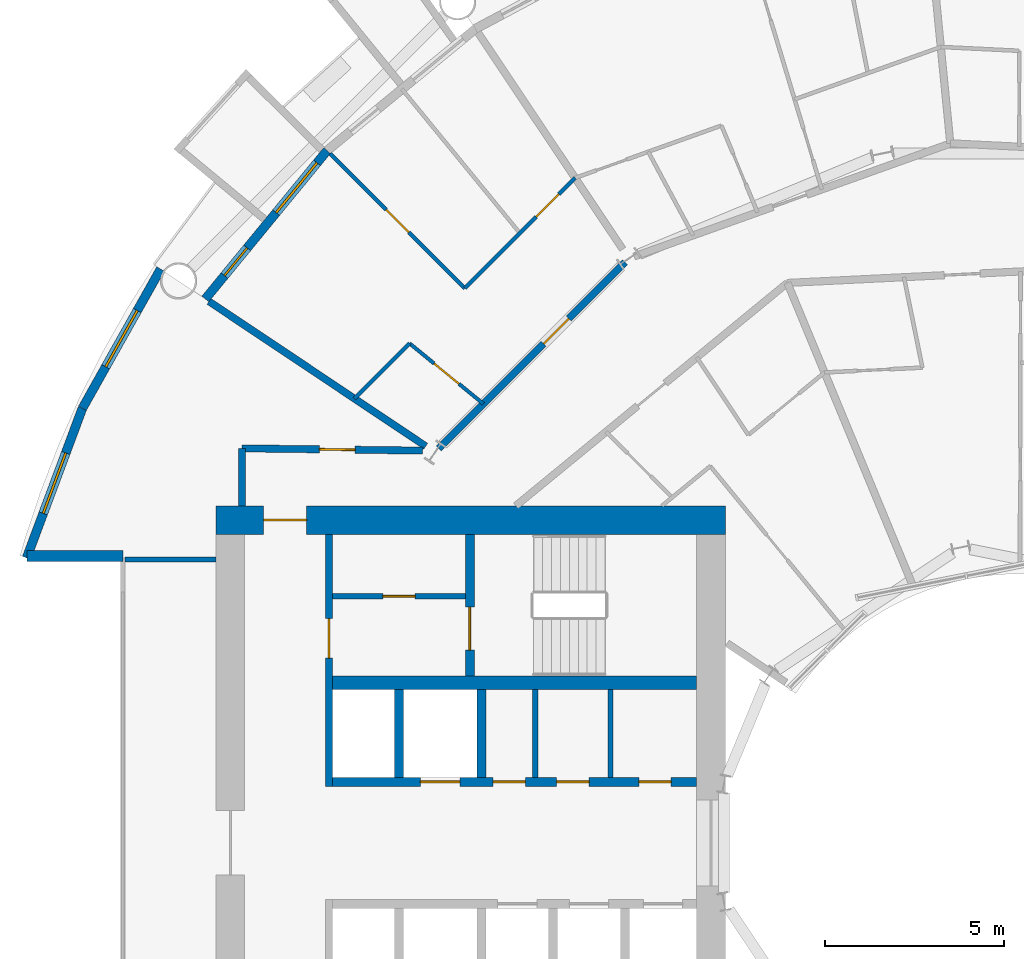
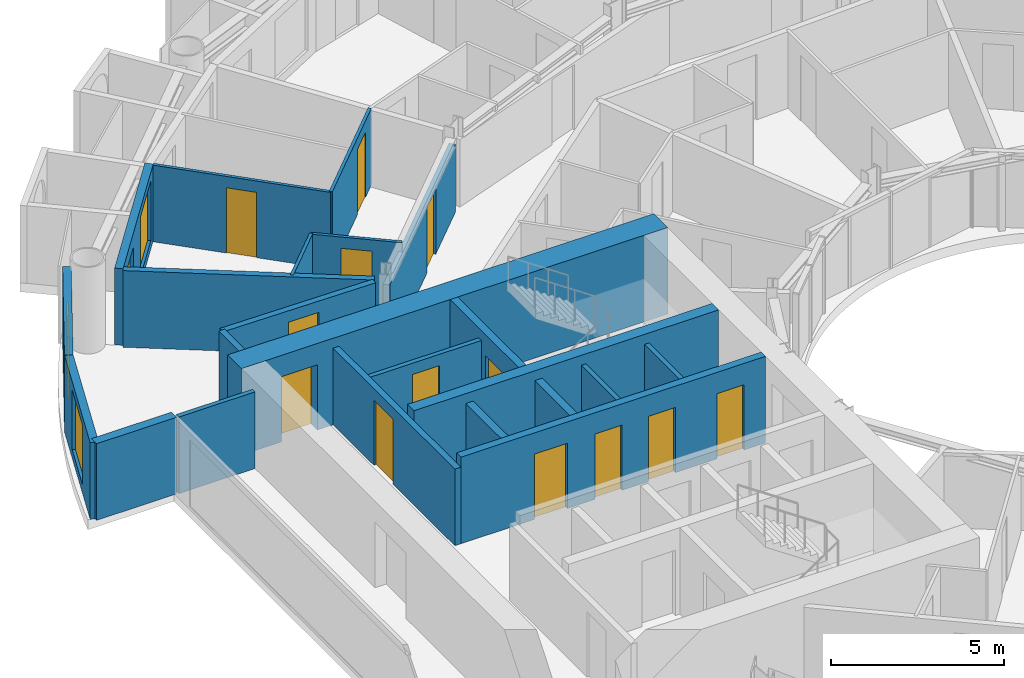
# One storey, part 18 of 26: 23 walls, 14 doors, 3 windows, 17 openings.
"""IFC4 building model written with IfcOpenShell, lengths in metres."""

from ifc_helpers import new_model, si_unit, direction, frame, frame_2d, origin, place, context, subcontext, project, spatial, rectangle, extrude, material, layer, layer_set, type_object, element, fill, save


model = new_model("IFC4")

# Units and contexts
model_context = context("Model", 3, precision=1e-05, world=origin(), true_north=direction((0.0, 1.0)))
body_context = subcontext(model_context, "Body", "Model", "MODEL_VIEW")
ifc_project = project(units=[si_unit("LENGTHUNIT", "METRE"), si_unit("AREAUNIT", "SQUARE_METRE"), si_unit("VOLUMEUNIT", "CUBIC_METRE"), si_unit("PLANEANGLEUNIT", "RADIAN"), si_unit("MASSUNIT", "GRAM", prefix="KILO")], contexts=[model_context])

# Site, building, storey
site_placement = place(None, origin())
site = spatial("IfcSite", under=ifc_project, at=site_placement, CompositionType="ELEMENT")
building_placement = place(site_placement, origin())
building = spatial("IfcBuilding", under=site, at=building_placement, Name="Maasbend Ring Residences", CompositionType="ELEMENT")
storey_placement = place(building_placement, frame((0.0, 0.0, 44.14990234375)))
storey = spatial("IfcBuildingStorey", under=building, at=storey_placement, Name="L12", CompositionType="ELEMENT", Elevation=44.14990234375)

# Wall, openings, doors
ifc_material_1 = material(Name="Concrete C70/85", Category="concrete")
ifc_layer_1 = layer(ifc_material_1, 0.25)
ifc_layer_set_1 = layer_set([ifc_layer_1], Name="Concrete C70/85")
wall_type_1 = type_object("IfcWallType", Name="CORE WALL 250 C70/85", PredefinedType="SHEAR", material=ifc_layer_set_1)
wall_1_placement = place(storey_placement, frame((-19.14990234375, 1.699951171875, 0.0), z_axis=(0.0, 0.0, 1.0), x_axis=(1.0, 0.0, 0.0)))
wall_1 = element("IfcWall", 1, at=wall_1_placement, inside=storey, type_object=wall_type_1, Name="L12 core W wall SPS", PredefinedType="SHEAR", context=body_context, shape_type="SweptSolid", body=[
    extrude(rectangle(XDim=10.14990234375, YDim=0.25, at=frame_2d((5.074951171875, 0.0))), origin(), (0.0, 0.0, 1.0), 3.050048828125),
])
opening_1_placement = place(wall_1_placement, frame((2.449951171875, 0.0, 0.0)))
opening_1 = element("IfcOpeningElement", 2, at=opening_1_placement, cuts=wall_1, Name="Opening LD-W1205", PredefinedType="OPENING", context=body_context, shape_type="SweptSolid", body=[
    extrude(rectangle(XDim=1.10009765625, YDim=2.300048828125, at=frame_2d((0.550048828125, 1.14990234375))), frame((0.0, 0.135009765625, 0.0), z_axis=(0.0, -1.0, 0.0), x_axis=(1.0, 0.0, 0.0)), (0.0, 0.0, 1.0), 0.27001953125),
])
opening_2_placement = place(wall_1_placement, frame((8.53759765625, 0.0, 0.0)))
opening_2 = element("IfcOpeningElement", 3, at=opening_2_placement, cuts=wall_1, Name="Opening D-W1206", PredefinedType="OPENING", context=body_context, shape_type="SweptSolid", body=[
    extrude(rectangle(XDim=0.89990234375, YDim=2.300048828125, at=frame_2d((0.449951171875, 1.14990234375))), frame((0.0, 0.135009765625, 0.0), z_axis=(0.0, -1.0, 0.0), x_axis=(1.0, 0.0, 0.0)), (0.0, 0.0, 1.0), 0.27001953125),
])
opening_3_placement = place(wall_1_placement, frame((6.25, 0.0, 0.0)))
opening_3 = element("IfcOpeningElement", 4, at=opening_3_placement, cuts=wall_1, Name="Opening D-W1207", PredefinedType="OPENING", context=body_context, shape_type="SweptSolid", body=[
    extrude(rectangle(XDim=0.89990234375, YDim=2.300048828125, at=frame_2d((0.449951171875, 1.14990234375))), frame((0.0, 0.135009765625, 0.0), z_axis=(0.0, -1.0, 0.0), x_axis=(1.0, 0.0, 0.0)), (0.0, 0.0, 1.0), 0.27001953125),
])
opening_4_placement = place(wall_1_placement, frame((4.47509765625, 0.0, 0.0)))
opening_4 = element("IfcOpeningElement", 5, at=opening_4_placement, cuts=wall_1, Name="Opening D-W1208", PredefinedType="OPENING", context=body_context, shape_type="SweptSolid", body=[
    extrude(rectangle(XDim=0.89990234375, YDim=2.300048828125, at=frame_2d((0.449951171875, 1.14990234375))), frame((0.0, 0.135009765625, 0.0), z_axis=(0.0, -1.0, 0.0), x_axis=(1.0, 0.0, 0.0)), (0.0, 0.0, 1.0), 0.27001953125),
])
ifc_material_2 = material(Name="Stainless steel 316", Category="steel")
door_type_1 = type_object("IfcDoorType", Name="LANDING DOOR 1100 X 2300 FD60", OperationType="DOUBLE_DOOR_SLIDING", PredefinedType="DOOR", material=ifc_material_2)
door_1_placement = place(opening_1_placement, origin())
door_1 = element("IfcDoor", 6, at=door_1_placement, inside=storey, type_object=door_type_1, Name="Landing door SV-W L12", OperationType="DOUBLE_DOOR_SLIDING", OverallHeight=2.300048828125, OverallWidth=1.10009765625, PredefinedType="DOOR", context=body_context, shape_type="SweptSolid", body=[
    extrude(rectangle(XDim=1.10009765625, YDim=2.300048828125, at=frame_2d((0.550048828125, 1.14990234375))), frame((0.0, 0.02490234375, 0.0), z_axis=(0.0, -1.0, 0.0), x_axis=(1.0, 0.0, 0.0)), (0.0, 0.0, 1.0), 0.050048828125),
])
fill(opening_1, door_1)
ifc_material_3 = material(Name="Steel, powder coated", Category="steel")
door_type_2 = type_object("IfcDoorType", Name="ROOM DOOR 900 X 2300 FD30S", OperationType="NOTDEFINED", PredefinedType="DOOR", material=ifc_material_3)
door_2_placement = place(opening_2_placement, origin())
door_2 = element("IfcDoor", 7, at=door_2_placement, inside=storey, type_object=door_type_2, Name="Room door L12", OperationType="SINGLE_SWING_LEFT", OverallHeight=2.300048828125, OverallWidth=0.89990234375, PredefinedType="DOOR", context=body_context, shape_type="SweptSolid", body=[
    extrude(rectangle(XDim=0.89990234375, YDim=2.300048828125, at=frame_2d((0.449951171875, 1.14990234375))), frame((0.0, 0.02490234375, 0.0), z_axis=(0.0, -1.0, 0.0), x_axis=(1.0, 0.0, 0.0)), (0.0, 0.0, 1.0), 0.050048828125),
])
fill(opening_2, door_2)
door_3_placement = place(opening_3_placement, origin())
door_3 = element("IfcDoor", 8, at=door_3_placement, inside=storey, type_object=door_type_2, Name="Room door L12", OperationType="SINGLE_SWING_LEFT", OverallHeight=2.300048828125, OverallWidth=0.89990234375, PredefinedType="DOOR", context=body_context, shape_type="SweptSolid", body=[
    extrude(rectangle(XDim=0.89990234375, YDim=2.300048828125, at=frame_2d((0.449951171875, 1.14990234375))), frame((0.0, 0.02490234375, 0.0), z_axis=(0.0, -1.0, 0.0), x_axis=(1.0, 0.0, 0.0)), (0.0, 0.0, 1.0), 0.050048828125),
])
fill(opening_3, door_3)
door_4_placement = place(opening_4_placement, origin())
door_4 = element("IfcDoor", 9, at=door_4_placement, inside=storey, type_object=door_type_2, Name="Room door L12", OperationType="SINGLE_SWING_RIGHT", OverallHeight=2.300048828125, OverallWidth=0.89990234375, PredefinedType="DOOR", context=body_context, shape_type="SweptSolid", body=[
    extrude(rectangle(XDim=0.89990234375, YDim=2.300048828125, at=frame_2d((0.449951171875, 1.14990234375))), frame((0.0, 0.02490234375, 0.0), z_axis=(0.0, -1.0, 0.0), x_axis=(1.0, 0.0, 0.0)), (0.0, 0.0, 1.0), 0.050048828125),
])
fill(opening_4, door_4)

# Wall, opening, door
wall_2_placement = place(storey_placement, frame((-15.324951171875, 8.60009765625, 0.0), z_axis=(0.0, 0.0, 1.0), x_axis=(0.0, -1.0, 0.0)))
wall_2 = element("IfcWall", 10, at=wall_2_placement, inside=storey, type_object=wall_type_1, Name="L12 core W wall STES", PredefinedType="SHEAR", context=body_context, shape_type="SweptSolid", body=[
    extrude(rectangle(XDim=3.9501953125, YDim=0.25, at=frame_2d((1.97509765625, 0.0))), origin(), (0.0, 0.0, 1.0), 3.050048828125),
])
opening_5_placement = place(wall_2_placement, frame((2.02490234375, 0.0, 0.0)))
opening_5 = element("IfcOpeningElement", 11, at=opening_5_placement, cuts=wall_2, Name="Opening D-W1211", PredefinedType="OPENING", context=body_context, shape_type="SweptSolid", body=[
    extrude(rectangle(XDim=1.199951171875, YDim=2.300048828125, at=frame_2d((0.60009765625, 1.14990234375))), frame((0.0, 0.135009765625, 0.0), z_axis=(0.0, -1.0, 0.0), x_axis=(1.0, 0.0, 0.0)), (0.0, 0.0, 1.0), 0.27001953125),
])
ifc_material_4 = material(Name="Steel, powder coated", Category="steel")
door_type_3 = type_object("IfcDoorType", Name="STAIR DOOR 1200 X 2300 FD60", OperationType="NOTDEFINED", PredefinedType="DOOR", material=ifc_material_4)
door_5_placement = place(opening_5_placement, origin())
door_5 = element("IfcDoor", 12, at=door_5_placement, inside=storey, type_object=door_type_3, Name="Stair door ST-W L12", OperationType="SINGLE_SWING_LEFT", OverallHeight=2.300048828125, OverallWidth=1.199951171875, PredefinedType="DOOR", context=body_context, shape_type="SweptSolid", body=[
    extrude(rectangle(XDim=1.199951171875, YDim=2.300048828125, at=frame_2d((0.60009765625, 1.14990234375))), frame((0.0, 0.02490234375, 0.0), z_axis=(0.0, -1.0, 0.0), x_axis=(1.0, 0.0, 0.0)), (0.0, 0.0, 1.0), 0.050048828125),
])
fill(opening_5, door_5)

# Wall
ifc_material_5 = material(Name="Concrete C70/85", Category="concrete")
ifc_layer_2 = layer(ifc_material_5, 0.375)
ifc_layer_set_2 = layer_set([ifc_layer_2], Name="Concrete C70/85")
wall_type_2 = type_object("IfcWallType", Name="CORE WALL 375 C70/85", PredefinedType="SHEAR", material=ifc_layer_set_2)
wall_3_placement = place(storey_placement, frame((-9.0, 4.46240234375, 0.0), z_axis=(0.0, 0.0, 1.0), x_axis=(-1.0, 0.0, 0.0)))
element("IfcWall", 13, at=wall_3_placement, inside=storey, type_object=wall_type_2, Name="L12 core W wall BS", PredefinedType="SHEAR", context=body_context, shape_type="SweptSolid", body=[
    extrude(rectangle(XDim=10.14990234375, YDim=0.375, at=frame_2d((5.074951171875, 0.0))), origin(), (0.0, 0.0, 1.0), 3.050048828125),
])

# Wall, opening, door
ifc_material_6 = material(Name="Concrete C70/85", Category="concrete")
ifc_layer_3 = layer(ifc_material_6, 0.800048828125)
ifc_layer_set_3 = layer_set([ifc_layer_3], Name="Concrete C70/85")
wall_type_3 = type_object("IfcWallType", Name="CORE WALL 800 C70/85", PredefinedType="SHEAR", material=ifc_layer_set_3)
wall_4_placement = place(storey_placement, frame((-8.199951171875, 9.0, 0.0), z_axis=(0.0, 0.0, 1.0), x_axis=(-1.0, 0.0, 0.0)))
wall_4 = element("IfcWall", 14, at=wall_4_placement, inside=storey, type_object=wall_type_3, Name="L12 core W wall PS", PredefinedType="SHEAR", context=body_context, shape_type="SweptSolid", body=[
    extrude(rectangle(XDim=14.199951171875, YDim=0.800048828125, at=frame_2d((7.10009765625, 0.0))), origin(), (0.0, 0.0, 1.0), 3.050048828125),
])
opening_6_placement = place(wall_4_placement, frame((11.675048828125, 0.0, 0.0)))
opening_6 = element("IfcOpeningElement", 15, at=opening_6_placement, cuts=wall_4, Name="Opening D-W1215", PredefinedType="OPENING", context=body_context, shape_type="SweptSolid", body=[
    extrude(rectangle(XDim=1.199951171875, YDim=2.300048828125, at=frame_2d((0.60009765625, 1.14990234375))), frame((0.0, 0.41015625, 0.0), z_axis=(0.0, -1.0, 0.0), x_axis=(1.0, 0.0, 0.0)), (0.0, 0.0, 1.0), 0.820068359375),
])
ifc_material_7 = material(Name="Steel, powder coated", Category="steel")
door_type_4 = type_object("IfcDoorType", Name="CORRIDOR DOOR 1200 X 2300 FD30S", OperationType="NOTDEFINED", PredefinedType="DOOR", material=ifc_material_7)
door_6_placement = place(opening_6_placement, origin())
door_6 = element("IfcDoor", 16, at=door_6_placement, inside=storey, type_object=door_type_4, Name="Corridor door L12", OperationType="SINGLE_SWING_LEFT", OverallHeight=2.300048828125, OverallWidth=1.199951171875, PredefinedType="DOOR", context=body_context, shape_type="SweptSolid", body=[
    extrude(rectangle(XDim=1.199951171875, YDim=2.300048828125, at=frame_2d((0.60009765625, 1.14990234375))), frame((0.0, 0.02490234375, 0.0), z_axis=(0.0, -1.0, 0.0), x_axis=(1.0, 0.0, 0.0)), (0.0, 0.0, 1.0), 0.050048828125),
])
fill(opening_6, door_6)

ifc_material_8 = material(Name="Concrete C30/37", Category="concrete")
ifc_layer_4 = layer(ifc_material_8, 0.199951171875)
ifc_layer_set_4 = layer_set([ifc_layer_4], Name="Concrete C30/37")
wall_type_4 = type_object("IfcWallType", Name="CORRIDOR WALL 200 CONCRETE", PredefinedType="PARTITIONING", material=ifc_layer_set_4)
wall_5_placement = place(storey_placement, frame((-21.675048828125, 11.0, 0.0), z_axis=(0.0, 0.0, 1.0), x_axis=(0.99992425795, -0.012307654658, 0.0)))
wall_5 = element("IfcWall", 17, at=wall_5_placement, inside=storey, type_object=wall_type_4, Name="U-L12-w095", PredefinedType="PARTITIONING", context=body_context, shape_type="SweptSolid", body=[
    extrude(rectangle(XDim=5.03857421875, YDim=0.199951171875, at=frame_2d((2.519287109375, 0.0))), origin(), (0.0, 0.0, 1.0), 2.7001953125),
])
opening_7_placement = place(wall_5_placement, frame((2.155029296875, 0.0, 0.0)))
opening_7 = element("IfcOpeningElement", 18, at=opening_7_placement, cuts=wall_5, Name="Opening D-1270", PredefinedType="OPENING", context=body_context, shape_type="SweptSolid", body=[
    extrude(rectangle(XDim=1.0, YDim=2.300048828125, at=frame_2d((0.5, 1.14990234375))), frame((0.0, 0.10986328125, 0.0), z_axis=(0.0, -1.0, 0.0), x_axis=(1.0, 0.0, 0.0)), (0.0, 0.0, 1.0), 0.219970703125),
])
ifc_material_9 = material(Name="Timber, painted", Category="wood")
door_type_5 = type_object("IfcDoorType", Name="ROOM DOOR 1000 X 2300", OperationType="NOTDEFINED", PredefinedType="DOOR", material=ifc_material_9)
door_7_placement = place(opening_7_placement, origin())
door_7 = element("IfcDoor", 19, at=door_7_placement, inside=storey, type_object=door_type_5, Name="D-1270", OperationType="SINGLE_SWING_RIGHT", OverallHeight=2.300048828125, OverallWidth=1.0, PredefinedType="DOOR", context=body_context, shape_type="SweptSolid", body=[
    extrude(rectangle(XDim=1.0, YDim=2.300048828125, at=frame_2d((0.5, 1.14990234375))), frame((0.0, 0.02490234375, 0.0), z_axis=(0.0, -1.0, 0.0), x_axis=(1.0, 0.0, 0.0)), (0.0, 0.0, 1.0), 0.050048828125),
])
fill(opening_7, door_7)

wall_6_placement = place(storey_placement, frame((-16.18701171875, 10.9990234375, 0.0), z_axis=(0.0, 0.0, 1.0), x_axis=(0.707106781187, 0.707106781187, 0.0)))
wall_6 = element("IfcWall", 20, at=wall_6_placement, inside=storey, type_object=wall_type_4, Name="U-L12-w108", PredefinedType="PARTITIONING", context=body_context, shape_type="SweptSolid", body=[
    extrude(rectangle(XDim=7.3369140625, YDim=0.199951171875, at=frame_2d((3.66845703125, 0.0))), origin(), (0.0, 0.0, 1.0), 2.380126953125),
])
opening_8_placement = place(wall_6_placement, frame((4.1240234375, 0.0, 0.0)))
opening_8 = element("IfcOpeningElement", 21, at=opening_8_placement, cuts=wall_6, Name="Opening D-1219", PredefinedType="OPENING", context=body_context, shape_type="SweptSolid", body=[
    extrude(rectangle(XDim=1.0, YDim=2.300048828125, at=frame_2d((0.5, 1.14990234375))), frame((0.0, 0.10986328125, 0.0), z_axis=(0.0, -1.0, 0.0), x_axis=(1.0, 0.0, 0.0)), (0.0, 0.0, 1.0), 0.219970703125),
])
ifc_material_10 = material(Name="Timber, fire-rated, painted", Category="wood")
door_type_6 = type_object("IfcDoorType", Name="FLAT ENTRANCE DOOR 1000 X 2300 FIRE-RATED", OperationType="NOTDEFINED", PredefinedType="DOOR", material=ifc_material_10)
door_8_placement = place(opening_8_placement, origin())
door_8 = element("IfcDoor", 22, at=door_8_placement, inside=storey, type_object=door_type_6, Name="D-1219", OperationType="SINGLE_SWING_RIGHT", OverallHeight=2.300048828125, OverallWidth=1.0, PredefinedType="DOOR", context=body_context, shape_type="SweptSolid", body=[
    extrude(rectangle(XDim=1.0, YDim=2.300048828125, at=frame_2d((0.5, 1.14990234375))), frame((0.0, 0.02490234375, 0.0), z_axis=(0.0, -1.0, 0.0), x_axis=(1.0, 0.0, 0.0)), (0.0, 0.0, 1.0), 0.050048828125),
])
fill(opening_8, door_8)

# Wall
wall_7_placement = place(storey_placement, frame((-21.675048828125, 9.39990234375, 0.0), z_axis=(0.0, 0.0, 1.0), x_axis=(0.0, 1.0, 0.0)))
element("IfcWall", 23, at=wall_7_placement, inside=storey, type_object=wall_type_4, Name="U-L12-w116", PredefinedType="PARTITIONING", context=body_context, shape_type="SweptSolid", body=[
    extrude(rectangle(XDim=1.60009765625, YDim=0.199951171875, at=frame_2d((0.800048828125, 0.0))), origin(), (0.0, 0.0, 1.0), 2.7001953125),
])

# Wall, openings, door, window
ifc_material_11 = material(Name="Aluminium clad insulated panel", Category="aluminium")
ifc_layer_5 = layer(ifc_material_11, 0.25)
ifc_layer_set_5 = layer_set([ifc_layer_5], Name="EW-GL")
wall_type_5 = type_object("IfcWallType", Name="EW-GL", PredefinedType="SOLIDWALL", material=ifc_layer_set_5)
wall_8_placement = place(storey_placement, frame((-19.303955078125, 19.303955078125, 0.0), z_axis=(0.0, 0.0, 1.0), x_axis=(-0.634382322723, -0.773019449054, 0.0)))
wall_8 = element("IfcWall", 24, at=wall_8_placement, inside=storey, type_object=wall_type_5, Name="External wall N10", PredefinedType="SOLIDWALL", context=body_context, shape_type="SweptSolid", body=[
    extrude(rectangle(XDim=5.351806640625, YDim=0.25, at=frame_2d((2.67578125, 0.0))), origin(), (0.0, 0.0, 1.0), 2.7001953125),
])
opening_9_placement = place(wall_8_placement, frame((0.441162109375, 0.0, 0.300048828125)))
opening_9 = element("IfcOpeningElement", 25, at=opening_9_placement, cuts=wall_8, Name="Opening W-BX", PredefinedType="OPENING", context=body_context, shape_type="SweptSolid", body=[
    extrude(rectangle(XDim=1.800048828125, YDim=2.10009765625, at=frame_2d((0.89990234375, 1.050048828125))), frame((0.0, 0.135009765625, 0.0), z_axis=(0.0, -1.0, 0.0), x_axis=(1.0, 0.0, 0.0)), (0.0, 0.0, 1.0), 0.27001953125),
])
opening_10_placement = place(wall_8_placement, frame((3.510498046875, 0.0, 0.0)))
opening_10 = element("IfcOpeningElement", 26, at=opening_10_placement, cuts=wall_8, Name="Opening D-LG", PredefinedType="OPENING", context=body_context, shape_type="SweptSolid", body=[
    extrude(rectangle(XDim=1.0, YDim=2.199951171875, at=frame_2d((0.5, 1.10009765625))), frame((0.0, 0.135009765625, 0.0), z_axis=(0.0, -1.0, 0.0), x_axis=(1.0, 0.0, 0.0)), (0.0, 0.0, 1.0), 0.27001953125),
])
ifc_material_12 = material(Name="Aluminium and clear glass", Category="aluminium")
door_type_7 = type_object("IfcDoorType", Name="D-LG", OperationType="SINGLE_SWING_LEFT", PredefinedType="DOOR", material=ifc_material_12)
door_9_placement = place(opening_10_placement, origin())
door_9 = element("IfcDoor", 27, at=door_9_placement, inside=storey, type_object=door_type_7, Name="Loggia door N20", OperationType="SINGLE_SWING_LEFT", OverallHeight=2.199951171875, OverallWidth=1.0, PredefinedType="DOOR", context=body_context, shape_type="SweptSolid", body=[
    extrude(rectangle(XDim=1.0, YDim=2.199951171875, at=frame_2d((0.5, 1.10009765625))), frame((0.0, 0.02490234375, 0.0), z_axis=(0.0, -1.0, 0.0), x_axis=(1.0, 0.0, 0.0)), (0.0, 0.0, 1.0), 0.050048828125),
])
fill(opening_10, door_9)
ifc_material_13 = material(Name="Aluminium and clear glass", Category="aluminium")
window_type = type_object("IfcWindowType", Name="W-BX", PartitioningType="DOUBLE_PANEL_VERTICAL", PredefinedType="WINDOW", material=ifc_material_13)
window_1_placement = place(opening_9_placement, origin())
window_1 = element("IfcWindow", 28, at=window_1_placement, inside=storey, type_object=window_type, Name="Window N19 room to box", OverallHeight=2.10009765625, OverallWidth=1.800048828125, PartitioningType="SINGLE_PANEL", PredefinedType="WINDOW", context=body_context, shape_type="SweptSolid", body=[
    extrude(rectangle(XDim=1.800048828125, YDim=2.10009765625, at=frame_2d((0.89990234375, 1.050048828125))), frame((0.0, 0.030029296875, 0.0), z_axis=(0.0, -1.0, 0.0), x_axis=(1.0, 0.0, 0.0)), (0.0, 0.0, 1.0), 0.06005859375),
])
fill(opening_9, window_1)

# Wall, opening, window
ifc_material_14 = material(Name="Aluminium clad insulated panel", Category="aluminium")
ifc_layer_6 = layer(ifc_material_14, 0.25)
ifc_layer_set_6 = layer_set([ifc_layer_6], Name="EW-HORN")
wall_type_6 = type_object("IfcWallType", Name="EW-HORN", PredefinedType="SOLIDWALL", material=ifc_layer_set_6)
wall_9_placement = place(storey_placement, frame((-23.946044921875, 16.0, 0.0), z_axis=(0.0, 0.0, 1.0), x_axis=(-0.489696356642, -0.871893042919, 0.0)))
wall_9 = element("IfcWall", 29, at=wall_9_placement, inside=storey, type_object=wall_type_6, Name="Horn wall 4.1", PredefinedType="SOLIDWALL", context=body_context, shape_type="SweptSolid", body=[
    extrude(rectangle(XDim=4.45361328125, YDim=0.25, at=frame_2d((2.226806640625, 0.0))), origin(), (0.0, 0.0, 1.0), 2.7001953125),
])
opening_11_placement = place(wall_9_placement, frame((1.32666015625, 0.0, 0.300048828125)))
opening_11 = element("IfcOpeningElement", 30, at=opening_11_placement, cuts=wall_9, Name="Opening W-BX", PredefinedType="OPENING", context=body_context, shape_type="SweptSolid", body=[
    extrude(rectangle(XDim=1.800048828125, YDim=2.10009765625, at=frame_2d((0.89990234375, 1.050048828125))), frame((0.0, 0.135009765625, 0.0), z_axis=(0.0, -1.0, 0.0), x_axis=(1.0, 0.0, 0.0)), (0.0, 0.0, 1.0), 0.27001953125),
])
window_2_placement = place(opening_11_placement, origin())
window_2 = element("IfcWindow", 31, at=window_2_placement, inside=storey, type_object=window_type, Name="Horn window 4.1", OverallHeight=2.10009765625, OverallWidth=1.800048828125, PartitioningType="SINGLE_PANEL", PredefinedType="WINDOW", context=body_context, shape_type="SweptSolid", body=[
    extrude(rectangle(XDim=1.800048828125, YDim=2.10009765625, at=frame_2d((0.89990234375, 1.050048828125))), frame((0.0, 0.030029296875, 0.0), z_axis=(0.0, -1.0, 0.0), x_axis=(1.0, 0.0, 0.0)), (0.0, 0.0, 1.0), 0.06005859375),
])
fill(opening_11, window_2)

wall_10_placement = place(storey_placement, frame((-26.126953125, 12.116943359375, 0.0), z_axis=(0.0, 0.0, 1.0), x_axis=(-0.349247811493, -0.937030397675, 0.0)))
wall_10 = element("IfcWall", 32, at=wall_10_placement, inside=storey, type_object=wall_type_6, Name="Horn wall 4.2", PredefinedType="SOLIDWALL", context=body_context, shape_type="SweptSolid", body=[
    extrude(rectangle(XDim=4.4521484375, YDim=0.25, at=frame_2d((2.22607421875, 0.0))), origin(), (0.0, 0.0, 1.0), 2.7001953125),
])
opening_12_placement = place(wall_10_placement, frame((1.32666015625, 0.0, 0.300048828125)))
opening_12 = element("IfcOpeningElement", 33, at=opening_12_placement, cuts=wall_10, Name="Opening W-BX", PredefinedType="OPENING", context=body_context, shape_type="SweptSolid", body=[
    extrude(rectangle(XDim=1.800048828125, YDim=2.10009765625, at=frame_2d((0.89990234375, 1.050048828125))), frame((0.0, 0.135009765625, 0.0), z_axis=(0.0, -1.0, 0.0), x_axis=(1.0, 0.0, 0.0)), (0.0, 0.0, 1.0), 0.27001953125),
])
window_3_placement = place(opening_12_placement, origin())
window_3 = element("IfcWindow", 34, at=window_3_placement, inside=storey, type_object=window_type, Name="Horn window 4.2", OverallHeight=2.10009765625, OverallWidth=1.800048828125, PartitioningType="SINGLE_PANEL", PredefinedType="WINDOW", context=body_context, shape_type="SweptSolid", body=[
    extrude(rectangle(XDim=1.800048828125, YDim=2.10009765625, at=frame_2d((0.89990234375, 1.050048828125))), frame((0.0, 0.030029296875, 0.0), z_axis=(0.0, -1.0, 0.0), x_axis=(1.0, 0.0, 0.0)), (0.0, 0.0, 1.0), 0.06005859375),
])
fill(opening_12, window_3)

# Wall
ifc_material_15 = material(Name="Aluminium clad insulated panel", Category="aluminium")
ifc_layer_7 = layer(ifc_material_15, 0.300048828125)
ifc_layer_set_7 = layer_set([ifc_layer_7], Name="EW-RET")
wall_type_7 = type_object("IfcWallType", Name="EW-RET", PredefinedType="SOLIDWALL", material=ifc_layer_set_7)
wall_11_placement = place(storey_placement, frame((-25.0, 8.0, 0.0), z_axis=(0.0, 0.0, 1.0), x_axis=(-1.0, 0.0, 0.0)))
element("IfcWall", 35, at=wall_11_placement, inside=storey, type_object=wall_type_7, Name="Notch return wall west north", PredefinedType="SOLIDWALL", context=body_context, shape_type="SweptSolid", body=[
    extrude(rectangle(XDim=2.6669921875, YDim=0.300048828125, at=frame_2d((1.33349609375, 0.0))), origin(), (0.0, 0.0, 1.0), 2.7001953125),
])

# Wall, opening, door
ifc_material_16 = material(Name="Gypsum board on steel studs", Category="steel")
ifc_layer_8 = layer(ifc_material_16, 0.10009765625)
ifc_layer_set_8 = layer_set([ifc_layer_8], Name="PARTITION 100 GYPSUM")
wall_type_8 = type_object("IfcWallType", Name="PARTITION 100 GYPSUM", PredefinedType="PARTITIONING", material=ifc_layer_set_8)
wall_12_placement = place(storey_placement, frame((-19.216064453125, 19.216064453125, 0.0), z_axis=(0.0, 0.0, 1.0), x_axis=(0.707106781187, -0.707106781187, 0.0)))
wall_12 = element("IfcWall", 36, at=wall_12_placement, inside=storey, type_object=wall_type_8, Name="U-L12-w034", PredefinedType="PARTITIONING", context=body_context, shape_type="SweptSolid", body=[
    extrude(rectangle(XDim=5.3046875, YDim=0.10009765625, at=frame_2d((2.65234375, 0.0))), origin(), (0.0, 0.0, 1.0), 2.7001953125),
])
opening_13_placement = place(wall_12_placement, frame((2.201904296875, 0.0, 0.0)))
opening_13 = element("IfcOpeningElement", 37, at=opening_13_placement, cuts=wall_12, Name="Opening D-1221", PredefinedType="OPENING", context=body_context, shape_type="SweptSolid", body=[
    extrude(rectangle(XDim=0.89990234375, YDim=2.300048828125, at=frame_2d((0.449951171875, 1.14990234375))), frame((0.0, 0.06005859375, 0.0), z_axis=(0.0, -1.0, 0.0), x_axis=(1.0, 0.0, 0.0)), (0.0, 0.0, 1.0), 0.1201171875),
])
ifc_material_17 = material(Name="Timber, painted", Category="wood")
door_type_8 = type_object("IfcDoorType", Name="INTERNAL DOOR 900 X 2300", OperationType="NOTDEFINED", PredefinedType="DOOR", material=ifc_material_17)
door_10_placement = place(opening_13_placement, origin())
door_10 = element("IfcDoor", 38, at=door_10_placement, inside=storey, type_object=door_type_8, Name="D-1221", OperationType="SINGLE_SWING_LEFT", OverallHeight=2.300048828125, OverallWidth=0.89990234375, PredefinedType="DOOR", context=body_context, shape_type="SweptSolid", body=[
    extrude(rectangle(XDim=0.89990234375, YDim=2.300048828125, at=frame_2d((0.449951171875, 1.14990234375))), frame((0.0, 0.02490234375, 0.0), z_axis=(0.0, -1.0, 0.0), x_axis=(1.0, 0.0, 0.0)), (0.0, 0.0, 1.0), 0.050048828125),
])
fill(opening_13, door_10)

wall_13_placement = place(storey_placement, frame((-17.00390625, 13.927001953125, 0.0), z_axis=(0.0, 0.0, 1.0), x_axis=(0.77367517848, -0.633582447834, 0.0)))
wall_13 = element("IfcWall", 39, at=wall_13_placement, inside=storey, type_object=wall_type_8, Name="U-L12-w037", PredefinedType="PARTITIONING", context=body_context, shape_type="SweptSolid", body=[
    extrude(rectangle(XDim=2.6611328125, YDim=0.10009765625, at=frame_2d((1.33056640625, 0.0))), origin(), (0.0, 0.0, 1.0), 2.7001953125),
])
opening_14_placement = place(wall_13_placement, frame((0.881103515625, 0.0, 0.0)))
opening_14 = element("IfcOpeningElement", 40, at=opening_14_placement, cuts=wall_13, Name="Opening D-1220", PredefinedType="OPENING", context=body_context, shape_type="SweptSolid", body=[
    extrude(rectangle(XDim=0.89990234375, YDim=2.300048828125, at=frame_2d((0.449951171875, 1.14990234375))), frame((0.0, 0.06005859375, 0.0), z_axis=(0.0, -1.0, 0.0), x_axis=(1.0, 0.0, 0.0)), (0.0, 0.0, 1.0), 0.1201171875),
])
door_11_placement = place(opening_14_placement, origin())
door_11 = element("IfcDoor", 41, at=door_11_placement, inside=storey, type_object=door_type_8, Name="D-1220", OperationType="SINGLE_SWING_RIGHT", OverallHeight=2.300048828125, OverallWidth=0.89990234375, PredefinedType="DOOR", context=body_context, shape_type="SweptSolid", body=[
    extrude(rectangle(XDim=0.89990234375, YDim=2.300048828125, at=frame_2d((0.449951171875, 1.14990234375))), frame((0.0, 0.02490234375, 0.0), z_axis=(0.0, -1.0, 0.0), x_axis=(1.0, 0.0, 0.0)), (0.0, 0.0, 1.0), 0.050048828125),
])
fill(opening_14, door_11)

# Wall
wall_14_placement = place(storey_placement, frame((-18.5419921875, 12.388916015625, 0.0), z_axis=(0.0, 0.0, 1.0), x_axis=(0.707106781187, 0.707106781187, 0.0)))
element("IfcWall", 42, at=wall_14_placement, inside=storey, type_object=wall_type_8, Name="U-L12-w117", PredefinedType="PARTITIONING", context=body_context, shape_type="SweptSolid", body=[
    extrude(rectangle(XDim=2.17529296875, YDim=0.10009765625, at=frame_2d((1.087646484375, 0.0))), origin(), (0.0, 0.0, 1.0), 2.7001953125),
])

# Wall, opening, door
wall_15_placement = place(storey_placement, frame((-15.465087890625, 15.465087890625, 0.0), z_axis=(0.0, 0.0, 1.0), x_axis=(0.707022606819, 0.707190945535, 0.0)))
wall_15 = element("IfcWall", 43, at=wall_15_placement, inside=storey, type_object=wall_type_8, Name="U-L12-w118", PredefinedType="PARTITIONING", context=body_context, shape_type="SweptSolid", body=[
    extrude(rectangle(XDim=4.350830078125, YDim=0.10009765625, at=frame_2d((2.17529296875, 0.0))), origin(), (0.0, 0.0, 1.0), 2.7001953125),
])
opening_15_placement = place(wall_15_placement, frame((2.81298828125, 0.0, 0.0)))
opening_15 = element("IfcOpeningElement", 44, at=opening_15_placement, cuts=wall_15, Name="Opening D-1222", PredefinedType="OPENING", context=body_context, shape_type="SweptSolid", body=[
    extrude(rectangle(XDim=0.89990234375, YDim=2.300048828125, at=frame_2d((0.449951171875, 1.14990234375))), frame((0.0, 0.06005859375, 0.0), z_axis=(0.0, -1.0, 0.0), x_axis=(1.0, 0.0, 0.0)), (0.0, 0.0, 1.0), 0.1201171875),
])
door_12_placement = place(opening_15_placement, origin())
door_12 = element("IfcDoor", 45, at=door_12_placement, inside=storey, type_object=door_type_8, Name="D-1222", OperationType="SINGLE_SWING_RIGHT", OverallHeight=2.300048828125, OverallWidth=0.89990234375, PredefinedType="DOOR", context=body_context, shape_type="SweptSolid", body=[
    extrude(rectangle(XDim=0.89990234375, YDim=2.300048828125, at=frame_2d((0.449951171875, 1.14990234375))), frame((0.0, 0.02490234375, 0.0), z_axis=(0.0, -1.0, 0.0), x_axis=(1.0, 0.0, 0.0)), (0.0, 0.0, 1.0), 0.050048828125),
])
fill(opening_15, door_12)

# Walls
ifc_material_18 = material(Name="Gypsum board on steel studs", Category="steel")
ifc_layer_9 = layer(ifc_material_18, 0.14990234375)
ifc_layer_set_9 = layer_set([ifc_layer_9], Name="PARTITION 150 EI 60")
wall_type_9 = type_object("IfcWallType", Name="PARTITION 150 EI 60", PredefinedType="PARTITIONING", material=ifc_layer_set_9)
for number, where, z_axis, x_axis, name in (
    (46, (-11.39990234375, 1.824951171875, 0.0), (0.0, 0.0, 1.0), (0.0, 1.0, 0.0), "L12 core W wall PRS1140"),
    (47, (-13.5, 1.824951171875, 0.0), (0.0, 0.0, 1.0), (0.0, 1.0, 0.0), "L12 core W wall PRS1350"),
):
    element("IfcWall", number, at=place(storey_placement, frame(where, z_axis=z_axis, x_axis=x_axis)), inside=storey, type_object=wall_type_9, Name=name, PredefinedType="PARTITIONING", context=body_context, shape_type="SweptSolid", body=[
        extrude(rectangle(XDim=2.449951171875, YDim=0.14990234375, at=frame_2d((1.22509765625, 0.0))), origin(), (0.0, 0.0, 1.0), 2.7001953125),
    ])

# Wall, opening, door
wall_16_placement = place(storey_placement, frame((-15.449951171875, 6.875, 0.0), z_axis=(0.0, 0.0, 1.0), x_axis=(-1.0, 0.0, 0.0)))
wall_16 = element("IfcWall", 48, at=wall_16_placement, inside=storey, type_object=wall_type_9, Name="L12 core W wall RHS", PredefinedType="PARTITIONING", context=body_context, shape_type="SweptSolid", body=[
    extrude(rectangle(XDim=3.699951171875, YDim=0.14990234375, at=frame_2d((1.85009765625, 0.0))), origin(), (0.0, 0.0, 1.0), 2.7001953125),
])
opening_16_placement = place(wall_16_placement, frame((1.39990234375, 0.0, 0.0)))
opening_16 = element("IfcOpeningElement", 49, at=opening_16_placement, cuts=wall_16, Name="Opening D-W1209", PredefinedType="OPENING", context=body_context, shape_type="SweptSolid", body=[
    extrude(rectangle(XDim=0.89990234375, YDim=2.300048828125, at=frame_2d((0.449951171875, 1.14990234375))), frame((0.0, 0.0849609375, 0.0), z_axis=(0.0, -1.0, 0.0), x_axis=(1.0, 0.0, 0.0)), (0.0, 0.0, 1.0), 0.169921875),
])
ifc_material_19 = material(Name="Steel, powder coated", Category="steel")
door_type_9 = type_object("IfcDoorType", Name="RISER DOOR 900 X 2300 FD60", OperationType="NOTDEFINED", PredefinedType="DOOR", material=ifc_material_19)
door_13_placement = place(opening_16_placement, origin())
door_13 = element("IfcDoor", 50, at=door_13_placement, inside=storey, type_object=door_type_9, Name="Riser door L12", OperationType="SINGLE_SWING_LEFT", OverallHeight=2.300048828125, OverallWidth=0.89990234375, PredefinedType="DOOR", context=body_context, shape_type="SweptSolid", body=[
    extrude(rectangle(XDim=0.89990234375, YDim=2.300048828125, at=frame_2d((0.449951171875, 1.14990234375))), frame((0.0, 0.02490234375, 0.0), z_axis=(0.0, -1.0, 0.0), x_axis=(1.0, 0.0, 0.0)), (0.0, 0.0, 1.0), 0.050048828125),
])
fill(opening_16, door_13)

# Walls
wall_17_placement = place(storey_placement, frame((-22.39990234375, 7.89990234375, 0.0), z_axis=(0.0, 0.0, 1.0), x_axis=(-1.0, 0.0, 0.0)))
element("IfcWall", 51, at=wall_17_placement, inside=storey, type_object=wall_type_9, Name="L12 core W wall CITS", PredefinedType="PARTITIONING", context=body_context, shape_type="SweptSolid", body=[
    extrude(rectangle(XDim=2.5400390625, YDim=0.14990234375, at=frame_2d((1.27001953125, 0.0))), origin(), (0.0, 0.0, 1.0), 2.7001953125),
])
ifc_material_20 = material(Name="Concrete C30/37", Category="concrete")
ifc_layer_10 = layer(ifc_material_20, 0.199951171875)
ifc_layer_set_10 = layer_set([ifc_layer_10], Name="Concrete C30/37")
wall_type_10 = type_object("IfcWallType", Name="PARTY WALL 200 CONCRETE", PredefinedType="PARTITIONING", material=ifc_layer_set_10)
wall_18_placement = place(storey_placement, frame((-22.594970703125, 15.096923828125, 0.0), z_axis=(0.0, 0.0, 1.0), x_axis=(0.831465568067, -0.555576285599, 0.0)))
element("IfcWall", 52, at=wall_18_placement, inside=storey, type_object=wall_type_10, Name="U-L12-w033", PredefinedType="PARTITIONING", context=body_context, shape_type="SweptSolid", body=[
    extrude(rectangle(XDim=7.264404296875, YDim=0.199951171875, at=frame_2d((3.63232421875, 0.0))), origin(), (0.0, 0.0, 1.0), 2.7001953125),
])

# Wall, opening, door
ifc_material_21 = material(Name="Concrete C30/37", Category="concrete")
ifc_layer_11 = layer(ifc_material_21, 0.199951171875)
ifc_layer_set_11 = layer_set([ifc_layer_11], Name="Concrete C30/37")
wall_type_11 = type_object("IfcWallType", Name="SHAFT WALL 200 EI 120", PredefinedType="SOLIDWALL", material=ifc_layer_set_11)
wall_19_placement = place(storey_placement, frame((-19.25, 8.60009765625, 0.0), z_axis=(0.0, 0.0, 1.0), x_axis=(0.0, -1.0, 0.0)))
wall_19 = element("IfcWall", 53, at=wall_19_placement, inside=storey, type_object=wall_type_11, Name="L12 core W wall ENDS", PredefinedType="SOLIDWALL", context=body_context, shape_type="SweptSolid", body=[
    extrude(rectangle(XDim=7.025146484375, YDim=0.199951171875, at=frame_2d((3.5126953125, 0.0))), origin(), (0.0, 0.0, 1.0), 2.7001953125),
])
opening_17_placement = place(wall_19_placement, frame((2.35009765625, 0.0, 0.0)))
opening_17 = element("IfcOpeningElement", 54, at=opening_17_placement, cuts=wall_19, Name="Opening D-W1213", PredefinedType="OPENING", context=body_context, shape_type="SweptSolid", body=[
    extrude(rectangle(XDim=1.10009765625, YDim=2.300048828125, at=frame_2d((0.550048828125, 1.14990234375))), frame((0.0, 0.10986328125, 0.0), z_axis=(0.0, -1.0, 0.0), x_axis=(1.0, 0.0, 0.0)), (0.0, 0.0, 1.0), 0.219970703125),
])
ifc_material_22 = material(Name="Steel, powder coated", Category="steel")
door_type_10 = type_object("IfcDoorType", Name="LOBBY DOOR 1100 X 2300 FD60", OperationType="NOTDEFINED", PredefinedType="DOOR", material=ifc_material_22)
door_14_placement = place(opening_17_placement, origin())
door_14 = element("IfcDoor", 55, at=door_14_placement, inside=storey, type_object=door_type_10, Name="Lobby door L12", OperationType="SINGLE_SWING_RIGHT", OverallHeight=2.300048828125, OverallWidth=1.10009765625, PredefinedType="DOOR", context=body_context, shape_type="SweptSolid", body=[
    extrude(rectangle(XDim=1.10009765625, YDim=2.300048828125, at=frame_2d((0.550048828125, 1.14990234375))), frame((0.0, 0.02490234375, 0.0), z_axis=(0.0, -1.0, 0.0), x_axis=(1.0, 0.0, 0.0)), (0.0, 0.0, 1.0), 0.050048828125),
])
fill(opening_17, door_14)

# Walls
ifc_material_23 = material(Name="Concrete C30/37", Category="concrete")
ifc_layer_12 = layer(ifc_material_23, 0.25)
ifc_layer_set_12 = layer_set([ifc_layer_12], Name="Concrete C30/37")
wall_type_12 = type_object("IfcWallType", Name="SHAFT WALL 250 EI 120", PredefinedType="SOLIDWALL", material=ifc_layer_set_12)
for number, where, z_axis, x_axis, name in (
    (56, (-15.0, 1.824951171875, 0.0), (0.0, 0.0, 1.0), (0.0, 1.0, 0.0), "L12 core W wall D150S"),
    (57, (-17.300048828125, 1.824951171875, 0.0), (0.0, 0.0, 1.0), (0.0, 1.0, 0.0), "L12 core W wall D173S"),
):
    element("IfcWall", number, at=place(storey_placement, frame(where, z_axis=z_axis, x_axis=x_axis)), inside=storey, type_object=wall_type_12, Name=name, PredefinedType="SOLIDWALL", context=body_context, shape_type="SweptSolid", body=[
        extrude(rectangle(XDim=2.449951171875, YDim=0.25, at=frame_2d((1.22509765625, 0.0))), origin(), (0.0, 0.0, 1.0), 2.7001953125),
    ])

save(model, "model.ifc")
